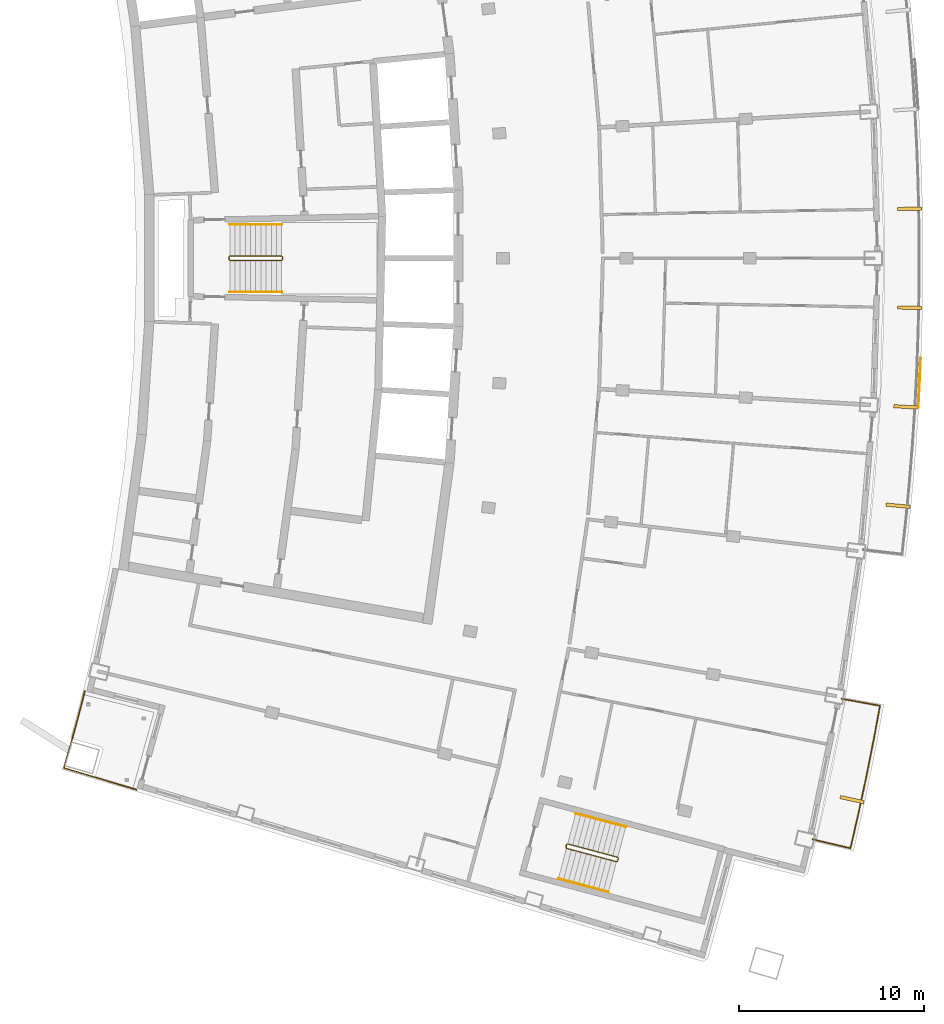
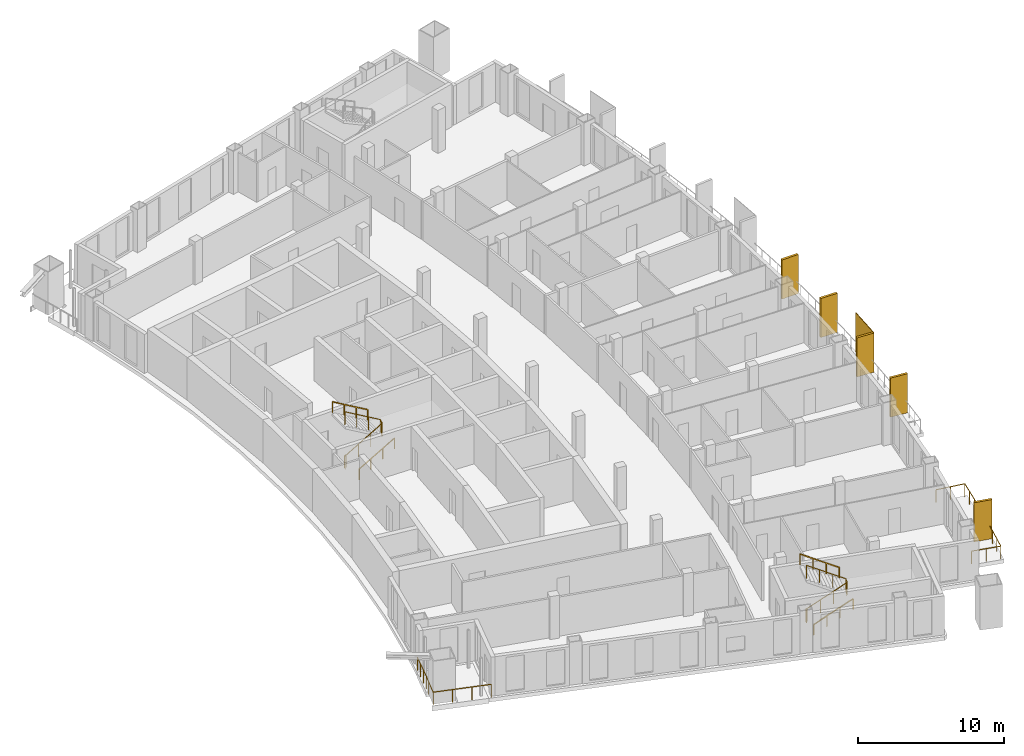
# One storey, part 14 of 16: 8 railings, 6 shading devices.
"""IFC4 building model written with IfcOpenShell, lengths in metres."""

from ifc_helpers import new_model, si_unit, direction, frame, origin, origin_with_axes, origin_2d, place, context, subcontext, project, spatial, rectangle, extrude, material, layer, layer_set, type_object, element, save


model = new_model("IFC4")

# Units and contexts
model_context = context("Model", 3, precision=1e-05, world=origin(), true_north=direction((0.0, 1.0)))
body_context = subcontext(model_context, "Body", "Model", "MODEL_VIEW")
ifc_project = project(units=[si_unit("LENGTHUNIT", "METRE"), si_unit("AREAUNIT", "SQUARE_METRE"), si_unit("VOLUMEUNIT", "CUBIC_METRE"), si_unit("PLANEANGLEUNIT", "RADIAN"), si_unit("MASSUNIT", "GRAM", prefix="KILO")], contexts=[model_context])

# Site, building, storey
site_placement = place(None, origin())
site = spatial("IfcSite", under=ifc_project, at=site_placement, CompositionType="ELEMENT")
building_placement = place(site_placement, origin())
building = spatial("IfcBuilding", under=site, at=building_placement, Name="Alderwake Tower", CompositionType="ELEMENT")
storey_placement = place(building_placement, frame((0.0, 0.0, 281.60009765625)))
storey = spatial("IfcBuildingStorey", under=building, at=storey_placement, Name="L70", CompositionType="ELEMENT", Elevation=281.60009765625)

# Railings
ifc_material_1 = material(Name="Stainless steel 316 rail and posts", Category="steel")
railing_type_1 = type_object("IfcRailingType", Name="Balcony guard 1100", PredefinedType="GUARDRAIL", material=ifc_material_1)
railing_1_placement = place(storey_placement, frame((52.531982421875, 29.603515625, 0.0)))
element("IfcRailing", 1, at=railing_1_placement, inside=storey, type_object=railing_type_1, Name="Guard BF03", PredefinedType="GUARDRAIL", context=body_context, shape_type="SweptSolid", body=[
    extrude(rectangle(XDim=0.048095703125, YDim=0.048095703125, at=origin_2d()), frame((0.0, 0.0, 1.076171875), z_axis=(0.973057638874, -0.230561990427, 0.0), x_axis=(0.230561990427, 0.973057638874, 0.0)), (0.0, 0.0, 1.0), 2.099853515625),
    extrude(rectangle(XDim=0.048095703125, YDim=0.048095703125, at=origin_2d()), frame((2.043212890625, -0.484130859375, 1.076171875), z_axis=(0.223789603838, 0.974637477842, 0.0), x_axis=(-0.974637477842, 0.223789603838, 0.0)), (0.0, 0.0, 1.0), 1.916748046875),
    extrude(rectangle(XDim=0.048095703125, YDim=0.048095703125, at=origin_2d()), frame((2.47216796875, 1.384033203125, 1.076171875), z_axis=(0.20990108156, 0.977722627313, 0.0), x_axis=(-0.977722627313, 0.20990108156, 0.0)), (0.0, 0.0, 1.0), 2.016845703125),
    extrude(rectangle(XDim=0.048095703125, YDim=0.048095703125, at=origin_2d()), frame((2.8955078125, 3.35595703125, 1.076171875), z_axis=(0.195604007271, 0.980682962195, 0.0), x_axis=(-0.980682962195, 0.195604007271, 0.0)), (0.0, 0.0, 1.0), 2.01708984375),
    extrude(rectangle(XDim=0.048095703125, YDim=0.048095703125, at=origin_2d()), frame((3.2900390625, 5.333984375, 1.076171875), z_axis=(0.181619483168, 0.983368884668, 0.0), x_axis=(-0.983368884668, 0.181619483168, 0.0)), (0.0, 0.0, 1.0), 1.9169921875),
    extrude(rectangle(XDim=0.048095703125, YDim=0.048095703125, at=origin_2d()), frame((3.63818359375, 7.218994140625, 1.076171875), z_axis=(-0.984614556243, 0.174740309131, 0.0), x_axis=(-0.174740309131, -0.984614556243, 0.0)), (0.0, 0.0, 1.0), 2.099853515625),
    extrude(rectangle(XDim=0.0419921875, YDim=0.0419921875, at=origin_2d()), frame((0.0, 0.0, 0.0), z_axis=(0.0, 0.0, 1.0), x_axis=(0.973057638874, -0.230561990427, 0.0)), (0.0, 0.0, 1.0), 1.052001953125),
    extrude(rectangle(XDim=0.0419921875, YDim=0.0419921875, at=origin_2d()), frame((1.021484375, -0.2421875, 0.0), z_axis=(0.0, 0.0, 1.0), x_axis=(0.973057638874, -0.230561990427, 0.0)), (0.0, 0.0, 1.0), 1.052001953125),
    extrude(rectangle(XDim=0.0419921875, YDim=0.0419921875, at=origin_2d()), frame((2.043212890625, -0.484130859375, 0.0), z_axis=(0.0, 0.0, 1.0), x_axis=(0.223789603838, 0.974637477842, 0.0)), (0.0, 0.0, 1.0), 1.052001953125),
    extrude(rectangle(XDim=0.0419921875, YDim=0.0419921875, at=origin_2d()), frame((2.2578125, 0.449951171875, 0.0), z_axis=(0.0, 0.0, 1.0), x_axis=(0.223789603838, 0.974637477842, 0.0)), (0.0, 0.0, 1.0), 1.052001953125),
    extrude(rectangle(XDim=0.0419921875, YDim=0.0419921875, at=origin_2d()), frame((2.47216796875, 1.384033203125, 0.0), z_axis=(0.0, 0.0, 1.0), x_axis=(0.20990108156, 0.977722627313, 0.0)), (0.0, 0.0, 1.0), 1.052001953125),
    extrude(rectangle(XDim=0.0419921875, YDim=0.0419921875, at=origin_2d()), frame((2.683837890625, 2.3701171875, 0.0), z_axis=(0.0, 0.0, 1.0), x_axis=(0.20990108156, 0.977722627313, 0.0)), (0.0, 0.0, 1.0), 1.052001953125),
    extrude(rectangle(XDim=0.0419921875, YDim=0.0419921875, at=origin_2d()), frame((2.8955078125, 3.35595703125, 0.0), z_axis=(0.0, 0.0, 1.0), x_axis=(0.195604007271, 0.980682962195, 0.0)), (0.0, 0.0, 1.0), 1.052001953125),
    extrude(rectangle(XDim=0.0419921875, YDim=0.0419921875, at=origin_2d()), frame((3.0927734375, 4.344970703125, 0.0), z_axis=(0.0, 0.0, 1.0), x_axis=(0.195604007271, 0.980682962195, 0.0)), (0.0, 0.0, 1.0), 1.052001953125),
    extrude(rectangle(XDim=0.0419921875, YDim=0.0419921875, at=origin_2d()), frame((3.2900390625, 5.333984375, 0.0), z_axis=(0.0, 0.0, 1.0), x_axis=(0.181619483168, 0.983368884668, 0.0)), (0.0, 0.0, 1.0), 1.052001953125),
    extrude(rectangle(XDim=0.0419921875, YDim=0.0419921875, at=origin_2d()), frame((3.464111328125, 6.2763671875, 0.0), z_axis=(0.0, 0.0, 1.0), x_axis=(0.181619483168, 0.983368884668, 0.0)), (0.0, 0.0, 1.0), 1.052001953125),
    extrude(rectangle(XDim=0.0419921875, YDim=0.0419921875, at=origin_2d()), frame((3.63818359375, 7.218994140625, 0.0), z_axis=(0.0, 0.0, 1.0), x_axis=(-0.984614556243, 0.174740309131, 0.0)), (0.0, 0.0, 1.0), 1.052001953125),
    extrude(rectangle(XDim=0.0419921875, YDim=0.0419921875, at=origin_2d()), frame((2.6044921875, 7.40234375, 0.0), z_axis=(0.0, 0.0, 1.0), x_axis=(-0.984614556243, 0.174740309131, 0.0)), (0.0, 0.0, 1.0), 1.052001953125),
    extrude(rectangle(XDim=0.0419921875, YDim=0.0419921875, at=origin_2d()), frame((1.570556640625, 7.5859375, 0.0), z_axis=(0.0, 0.0, 1.0), x_axis=(-0.984614556243, 0.174740309131, 0.0)), (0.0, 0.0, 1.0), 1.052001953125),
])
railing_2_placement = place(storey_placement, frame((13.210693359375, 37.612548828125, 0.0)))
element("IfcRailing", 2, at=railing_2_placement, inside=storey, type_object=railing_type_1, Name="Guard terrace RS", PredefinedType="GUARDRAIL", context=body_context, shape_type="SweptSolid", body=[
    extrude(rectangle(XDim=0.048095703125, YDim=0.048095703125, at=origin_2d()), frame((0.0, 0.0, 1.076171875), z_axis=(-0.251385381433, -0.967887075026, 0.0), x_axis=(0.967887075026, -0.251385381433, 0.0)), (0.0, 0.0, 1.0), 1.6015625),
    extrude(rectangle(XDim=0.048095703125, YDim=0.048095703125, at=origin_2d()), frame((-0.402587890625, -1.550048828125, 1.076171875), z_axis=(-0.266520638672, -0.963829211615, 0.0), x_axis=(0.963829211615, -0.266520638672, 0.0)), (0.0, 0.0, 1.0), 1.401611328125),
    extrude(rectangle(XDim=0.048095703125, YDim=0.048095703125, at=origin_2d()), frame((-0.776123046875, -2.90087890625, 1.076171875), z_axis=(-0.280093650878, -0.959972680204, 0.0), x_axis=(0.959972680204, -0.280093650878, 0.0)), (0.0, 0.0, 1.0), 1.30126953125),
    extrude(rectangle(XDim=0.048095703125, YDim=0.048095703125, at=origin_2d()), frame((-1.140625, -4.150146484375, 1.076171875), z_axis=(0.958066871889, -0.286544706789, 0.0), x_axis=(0.286544706789, 0.958066871889, 0.0)), (0.0, 0.0, 1.0), 4.099853515625),
    extrude(rectangle(XDim=0.0419921875, YDim=0.0419921875, at=origin_2d()), frame((0.0, 0.0, 0.0), z_axis=(0.0, 0.0, 1.0), x_axis=(-0.251385381433, -0.967887075026, 0.0)), (0.0, 0.0, 1.0), 1.052001953125),
    extrude(rectangle(XDim=0.0419921875, YDim=0.0419921875, at=origin_2d()), frame((-0.201171875, -0.77490234375, 0.0), z_axis=(0.0, 0.0, 1.0), x_axis=(-0.251385381433, -0.967887075026, 0.0)), (0.0, 0.0, 1.0), 1.052001953125),
    extrude(rectangle(XDim=0.0419921875, YDim=0.0419921875, at=origin_2d()), frame((-0.402587890625, -1.550048828125, 0.0), z_axis=(0.0, 0.0, 1.0), x_axis=(-0.266520638672, -0.963829211615, 0.0)), (0.0, 0.0, 1.0), 1.052001953125),
    extrude(rectangle(XDim=0.0419921875, YDim=0.0419921875, at=origin_2d()), frame((-0.58935546875, -2.2255859375, 0.0), z_axis=(0.0, 0.0, 1.0), x_axis=(-0.266520638672, -0.963829211615, 0.0)), (0.0, 0.0, 1.0), 1.052001953125),
    extrude(rectangle(XDim=0.0419921875, YDim=0.0419921875, at=origin_2d()), frame((-0.776123046875, -2.90087890625, 0.0), z_axis=(0.0, 0.0, 1.0), x_axis=(-0.280093650878, -0.959972680204, 0.0)), (0.0, 0.0, 1.0), 1.052001953125),
    extrude(rectangle(XDim=0.0419921875, YDim=0.0419921875, at=origin_2d()), frame((-1.140625, -4.150146484375, 0.0), z_axis=(0.0, 0.0, 1.0), x_axis=(0.958066871889, -0.286544706789, 0.0)), (0.0, 0.0, 1.0), 1.052001953125),
    extrude(rectangle(XDim=0.0419921875, YDim=0.0419921875, at=origin_2d()), frame((0.168701171875, -4.541748046875, 0.0), z_axis=(0.0, 0.0, 1.0), x_axis=(0.958066871889, -0.286544706789, 0.0)), (0.0, 0.0, 1.0), 1.052001953125),
    extrude(rectangle(XDim=0.0419921875, YDim=0.0419921875, at=origin_2d()), frame((1.47802734375, -4.933349609375, 0.0), z_axis=(0.0, 0.0, 1.0), x_axis=(0.958066871889, -0.286544706789, 0.0)), (0.0, 0.0, 1.0), 1.052001953125),
    extrude(rectangle(XDim=0.0419921875, YDim=0.0419921875, at=origin_2d()), frame((2.787353515625, -5.324951171875, 0.0), z_axis=(0.0, 0.0, 1.0), x_axis=(0.958066871889, -0.286544706789, 0.0)), (0.0, 0.0, 1.0), 1.052001953125),
])

# Shading devices
ifc_material_2 = material(Name="Bronze anodised aluminium", Category="aluminium")
ifc_layer_1 = layer(ifc_material_2, 0.179931640625)
ifc_layer_set_1 = layer_set([ifc_layer_1], Name="Facade fin 1300")
shading_device_type_1 = type_object("IfcShadingDeviceType", Name="Facade fin 1300", PredefinedType="USERDEFINED", material=ifc_layer_set_1)
for number, where, z_axis, x_axis, name in (
    (3, (54.65966796875, 31.748779296875, 0.0), (0.0, 0.0, 1.0), (0.977210363881, -0.212273184185, 0.0), "Fin"),
    (4, (57.149658203125, 47.626953125, 0.0), (0.0, 0.0, 1.0), (0.995279882363, -0.097046152751, 0.0), "Fin"),
    (5, (57.56591796875, 52.970703125, 0.0), (0.0, 0.0, 1.0), (0.998301080988, -0.058266214038, 0.0), "Fin"),
    (6, (57.774169921875, 58.326904296875, 0.0), (0.0, 0.0, 1.0), (0.999811838809, -0.019398117887, 0.0), "Fin"),
    (7, (57.774169921875, 63.673095703125, 0.0), (0.0, 0.0, 1.0), (0.999811838809, 0.019398117887, 0.0), "Fin"),
):
    element("IfcShadingDevice", number, at=place(storey_placement, frame(where, z_axis=z_axis, x_axis=x_axis)), inside=storey, type_object=shading_device_type_1, Name=name, ObjectType="FIN", PredefinedType="USERDEFINED", context=body_context, shape_type="SweptSolid", body=[
        extrude(rectangle(XDim=1.300048828125, YDim=0.179931640625, at=origin_2d()), origin(), (0.0, 0.0, 1.0), 3.280029296875),
    ])
ifc_material_3 = material(Name="Perforated bronze anodised aluminium", Category="aluminium")
ifc_layer_2 = layer(ifc_material_3, 0.050048828125)
ifc_layer_set_2 = layer_set([ifc_layer_2], Name="Perforated screen panel")
shading_device_type_2 = type_object("IfcShadingDeviceType", Name="Perforated screen panel", PredefinedType="USERDEFINED", material=ifc_layer_set_2)
shading_device_placement = place(storey_placement, frame((58.304931640625, 54.273193359375, 0.0), z_axis=(0.0, 0.0, 1.0), x_axis=(0.998819231138, -0.048581308217, 0.0)))
element("IfcShadingDevice", 8, at=shading_device_placement, inside=storey, type_object=shading_device_type_2, Name="Screen panel", ObjectType="SCREEN", PredefinedType="USERDEFINED", context=body_context, shape_type="SweptSolid", body=[
    extrude(rectangle(XDim=0.050048828125, YDim=2.686279296875, at=origin_2d()), origin(), (0.0, 0.0, 1.0), 3.280029296875),
])

# Railings
ifc_material_4 = material(Name="Stainless steel guard", Category="steel")
railing_type_2 = type_object("IfcRailingType", Name="Stair guard 1100", PredefinedType="GUARDRAIL", material=ifc_material_4)
railing_3_placement = place(storey_placement, frame((20.989990234375, 60.925048828125, 0.0)))
element("IfcRailing", 9, at=railing_3_placement, inside=storey, type_object=railing_type_2, Name="L70 ST-B stair guard 1", PredefinedType="GUARDRAIL", context=body_context, shape_type="SweptSolid", body=[
    extrude(rectangle(XDim=0.048095703125, YDim=0.048095703125, at=origin_2d()), frame((0.0, 0.0, 1.076171875), z_axis=(0.0, 1.0, 0.0), x_axis=(-1.0, 0.0, 0.0)), (0.0, 0.0, 1.0), 0.14990234375),
    extrude(rectangle(XDim=0.048095703125, YDim=0.048095703125, at=origin_2d()), frame((0.0, 0.14990234375, 1.076171875), z_axis=(0.190199549216, -0.759870394187, 0.621627795), x_axis=(0.970072785993, 0.242814311512, 0.0)), (0.0, 0.0, 1.0), 0.26318359375),
    extrude(rectangle(XDim=0.048095703125, YDim=0.048095703125, at=origin_2d()), frame((0.050048828125, -0.050048828125, 1.23974609375), z_axis=(0.863393664356, 0.0, 0.504530851732), x_axis=(0.0, 1.0, 0.0)), (0.0, 0.0, 1.0), 3.2431640625),
    extrude(rectangle(XDim=0.048095703125, YDim=0.048095703125, at=origin_2d()), frame((2.85009765625, -0.050048828125, 2.8759765625), z_axis=(0.705375805398, 0.708833529934, 0.0), x_axis=(-0.708833529934, 0.705375805398, 0.0)), (0.0, 0.0, 1.0), 0.070556640625),
    extrude(rectangle(XDim=0.048095703125, YDim=0.048095703125, at=origin_2d()), frame((2.89990234375, 0.0, 2.8759765625), z_axis=(0.0, 1.0, 0.0), x_axis=(-1.0, 0.0, 0.0)), (0.0, 0.0, 1.0), 0.14990234375),
    extrude(rectangle(XDim=0.048095703125, YDim=0.048095703125, at=origin_2d()), frame((2.89990234375, 0.14990234375, 2.8759765625), z_axis=(-0.279194930351, 0.280563532951, 0.91833234444), x_axis=(-0.708833529934, -0.705375805398, 0.0)), (0.0, 0.0, 1.0), 0.178466796875),
    extrude(rectangle(XDim=0.048095703125, YDim=0.048095703125, at=origin_2d()), frame((2.85009765625, 0.199951171875, 3.03955078125), z_axis=(-0.863393664356, 0.0, 0.504530851732), x_axis=(0.0, -1.0, 0.0)), (0.0, 0.0, 1.0), 3.2431640625),
    extrude(rectangle(XDim=0.0419921875, YDim=0.0419921875, at=origin_2d()), frame((0.0, 0.0, 0.0), z_axis=(0.0, 0.0, 1.0), x_axis=(0.0, 1.0, 0.0)), (0.0, 0.0, 1.0), 1.052001953125),
    extrude(rectangle(XDim=0.0419921875, YDim=0.0419921875, at=origin_2d()), frame((0.0, 0.14990234375, 0.0), z_axis=(0.0, 0.0, 1.0), x_axis=(0.242814311512, -0.970072785993, 0.0)), (0.0, 0.0, 1.0), 1.052001953125),
    extrude(rectangle(XDim=0.0419921875, YDim=0.0419921875, at=origin_2d()), frame((0.050048828125, -0.050048828125, 0.16357421875), z_axis=(0.0, 0.0, 1.0), x_axis=(1.0, 0.0, 0.0)), (0.0, 0.0, 1.0), 1.052001953125),
    extrude(rectangle(XDim=0.0419921875, YDim=0.0419921875, at=origin_2d()), frame((0.9833984375, -0.050048828125, 0.708984375), z_axis=(0.0, 0.0, 1.0), x_axis=(1.0, 0.0, 0.0)), (0.0, 0.0, 1.0), 1.052001953125),
    extrude(rectangle(XDim=0.0419921875, YDim=0.0419921875, at=origin_2d()), frame((1.916748046875, -0.050048828125, 1.25439453125), z_axis=(0.0, 0.0, 1.0), x_axis=(1.0, 0.0, 0.0)), (0.0, 0.0, 1.0), 1.052001953125),
    extrude(rectangle(XDim=0.0419921875, YDim=0.0419921875, at=origin_2d()), frame((2.85009765625, -0.050048828125, 1.7998046875), z_axis=(0.0, 0.0, 1.0), x_axis=(0.705375805398, 0.708833529934, 0.0)), (0.0, 0.0, 1.0), 1.052001953125),
    extrude(rectangle(XDim=0.0419921875, YDim=0.0419921875, at=origin_2d()), frame((2.89990234375, 0.0, 1.7998046875), z_axis=(0.0, 0.0, 1.0), x_axis=(0.0, 1.0, 0.0)), (0.0, 0.0, 1.0), 1.052001953125),
    extrude(rectangle(XDim=0.0419921875, YDim=0.0419921875, at=origin_2d()), frame((2.89990234375, 0.14990234375, 1.7998046875), z_axis=(0.0, 0.0, 1.0), x_axis=(-0.705375805398, 0.708833529934, 0.0)), (0.0, 0.0, 1.0), 1.052001953125),
    extrude(rectangle(XDim=0.0419921875, YDim=0.0419921875, at=origin_2d()), frame((2.85009765625, 0.199951171875, 1.963623046875), z_axis=(0.0, 0.0, 1.0), x_axis=(-1.0, 0.0, 0.0)), (0.0, 0.0, 1.0), 1.052001953125),
    extrude(rectangle(XDim=0.0419921875, YDim=0.0419921875, at=origin_2d()), frame((1.916748046875, 0.199951171875, 2.509033203125), z_axis=(0.0, 0.0, 1.0), x_axis=(-1.0, 0.0, 0.0)), (0.0, 0.0, 1.0), 1.052001953125),
    extrude(rectangle(XDim=0.0419921875, YDim=0.0419921875, at=origin_2d()), frame((0.9833984375, 0.199951171875, 3.054443359375), z_axis=(0.0, 0.0, 1.0), x_axis=(-1.0, 0.0, 0.0)), (0.0, 0.0, 1.0), 1.052001953125),
    extrude(rectangle(XDim=0.0419921875, YDim=0.0419921875, at=origin_2d()), frame((0.050048828125, 0.199951171875, 3.599853515625), z_axis=(0.0, 0.0, 1.0), x_axis=(-1.0, 0.0, 0.0)), (0.0, 0.0, 1.0), 1.052001953125),
])
railing_4_placement = place(storey_placement, frame((39.1943359375, 29.17431640625, 0.0)))
element("IfcRailing", 10, at=railing_4_placement, inside=storey, type_object=railing_type_2, Name="L70 ST-C stair guard 1", PredefinedType="GUARDRAIL", context=body_context, shape_type="SweptSolid", body=[
    extrude(rectangle(XDim=0.048095703125, YDim=0.048095703125, at=origin_2d()), frame((0.0, 0.0, 1.076171875), z_axis=(0.257459803502, 0.966289009345, 0.0), x_axis=(-0.966289009345, 0.257459803502, 0.0)), (0.0, 0.0, 1.0), 0.14990234375),
    extrude(rectangle(XDim=0.048095703125, YDim=0.048095703125, at=origin_2d()), frame((0.03857421875, 0.144775390625, 1.076171875), z_axis=(-0.012062893862, -0.783160186125, 0.621702991355), x_axis=(0.999881397308, -0.015401016783, 0.0)), (0.0, 0.0, 1.0), 0.26318359375),
    extrude(rectangle(XDim=0.048095703125, YDim=0.048095703125, at=origin_2d()), frame((0.035400390625, -0.061279296875, 1.23974609375), z_axis=(0.834313512087, -0.222222637163, 0.504517653885), x_axis=(0.257380452725, 0.966310148221, 0.0)), (0.0, 0.0, 1.0), 3.2431640625),
    extrude(rectangle(XDim=0.048095703125, YDim=0.048095703125, at=origin_2d()), frame((2.7412109375, -0.781982421875, 2.8759765625), z_axis=(0.865031189262, 0.501718089772, 0.0), x_axis=(-0.501718089772, 0.865031189262, 0.0)), (0.0, 0.0, 1.0), 0.070556640625),
    extrude(rectangle(XDim=0.048095703125, YDim=0.048095703125, at=origin_2d()), frame((2.80224609375, -0.74658203125, 2.8759765625), z_axis=(0.257055032184, 0.966396766566, 0.0), x_axis=(-0.966396766566, 0.257055032184, 0.0)), (0.0, 0.0, 1.0), 0.150146484375),
    extrude(rectangle(XDim=0.048095703125, YDim=0.048095703125, at=origin_2d()), frame((2.8408203125, -0.6015625, 2.8759765625), z_axis=(-0.198375862152, 0.343395457933, 0.918001403477), x_axis=(-0.865898279276, -0.500220121494, 0.0)), (0.0, 0.0, 1.0), 0.178466796875),
    extrude(rectangle(XDim=0.048095703125, YDim=0.048095703125, at=origin_2d()), frame((2.805419921875, -0.540283203125, 3.03955078125), z_axis=(-0.834290631165, 0.222236594766, 0.504549342183), x_axis=(-0.257402139082, -0.966304371715, 0.0)), (0.0, 0.0, 1.0), 3.242919921875),
    extrude(rectangle(XDim=0.0419921875, YDim=0.0419921875, at=origin_2d()), frame((0.0, 0.0, 0.0), z_axis=(0.0, 0.0, 1.0), x_axis=(0.257459803502, 0.966289009345, 0.0)), (0.0, 0.0, 1.0), 1.052001953125),
    extrude(rectangle(XDim=0.0419921875, YDim=0.0419921875, at=origin_2d()), frame((0.03857421875, 0.144775390625, 0.0), z_axis=(0.0, 0.0, 1.0), x_axis=(-0.015401016783, -0.999881397308, 0.0)), (0.0, 0.0, 1.0), 1.052001953125),
    extrude(rectangle(XDim=0.0419921875, YDim=0.0419921875, at=origin_2d()), frame((0.035400390625, -0.061279296875, 0.16357421875), z_axis=(0.0, 0.0, 1.0), x_axis=(0.966310148221, -0.257380452725, 0.0)), (0.0, 0.0, 1.0), 1.052001953125),
    extrude(rectangle(XDim=0.0419921875, YDim=0.0419921875, at=origin_2d()), frame((0.937255859375, -0.301513671875, 0.708984375), z_axis=(0.0, 0.0, 1.0), x_axis=(0.966310148221, -0.257380452725, 0.0)), (0.0, 0.0, 1.0), 1.052001953125),
    extrude(rectangle(XDim=0.0419921875, YDim=0.0419921875, at=origin_2d()), frame((1.83935546875, -0.541748046875, 1.25439453125), z_axis=(0.0, 0.0, 1.0), x_axis=(0.966310148221, -0.257380452725, 0.0)), (0.0, 0.0, 1.0), 1.052001953125),
    extrude(rectangle(XDim=0.0419921875, YDim=0.0419921875, at=origin_2d()), frame((2.7412109375, -0.781982421875, 1.7998046875), z_axis=(0.0, 0.0, 1.0), x_axis=(0.865031189262, 0.501718089772, 0.0)), (0.0, 0.0, 1.0), 1.052001953125),
    extrude(rectangle(XDim=0.0419921875, YDim=0.0419921875, at=origin_2d()), frame((2.80224609375, -0.74658203125, 1.7998046875), z_axis=(0.0, 0.0, 1.0), x_axis=(0.257055032184, 0.966396766566, 0.0)), (0.0, 0.0, 1.0), 1.052001953125),
    extrude(rectangle(XDim=0.0419921875, YDim=0.0419921875, at=origin_2d()), frame((2.8408203125, -0.6015625, 1.7998046875), z_axis=(0.0, 0.0, 1.0), x_axis=(-0.500220121494, 0.865898279276, 0.0)), (0.0, 0.0, 1.0), 1.052001953125),
    extrude(rectangle(XDim=0.0419921875, YDim=0.0419921875, at=origin_2d()), frame((2.805419921875, -0.540283203125, 1.963623046875), z_axis=(0.0, 0.0, 1.0), x_axis=(-0.966304371715, 0.257402139082, 0.0)), (0.0, 0.0, 1.0), 1.052001953125),
    extrude(rectangle(XDim=0.0419921875, YDim=0.0419921875, at=origin_2d()), frame((1.903564453125, -0.300048828125, 2.509033203125), z_axis=(0.0, 0.0, 1.0), x_axis=(-0.966304371715, 0.257402139082, 0.0)), (0.0, 0.0, 1.0), 1.052001953125),
    extrude(rectangle(XDim=0.0419921875, YDim=0.0419921875, at=origin_2d()), frame((1.001708984375, -0.059814453125, 3.054443359375), z_axis=(0.0, 0.0, 1.0), x_axis=(-0.966304371715, 0.257402139082, 0.0)), (0.0, 0.0, 1.0), 1.052001953125),
    extrude(rectangle(XDim=0.0419921875, YDim=0.0419921875, at=origin_2d()), frame((0.099853515625, 0.180419921875, 3.599853515625), z_axis=(0.0, 0.0, 1.0), x_axis=(-0.966304371715, 0.257402139082, 0.0)), (0.0, 0.0, 1.0), 1.052001953125),
])
ifc_material_5 = material(Name="Stainless steel handrail", Category="steel")
railing_type_3 = type_object("IfcRailingType", Name="Stair handrail 900", PredefinedType="HANDRAIL", material=ifc_material_5)
railing_5_placement = place(storey_placement, frame((21.0400390625, 59.175048828125, 0.16357421875)))
element("IfcRailing", 11, at=railing_5_placement, inside=storey, type_object=railing_type_3, Name="L70 ST-B stair handrail 1", PredefinedType="HANDRAIL", context=body_context, shape_type="SweptSolid", body=[
    extrude(rectangle(XDim=0.048095703125, YDim=0.048095703125, at=origin_2d()), frame((0.0, 0.0, 0.8759765625), z_axis=(0.863393664356, 0.0, 0.504530851732), x_axis=(0.0, 1.0, 0.0)), (0.0, 0.0, 1.0), 3.2431640625),
    extrude(rectangle(XDim=0.0419921875, YDim=0.0419921875, at=origin_2d()), origin_with_axes(), (0.0, 0.0, 1.0), 0.851806640625),
    extrude(rectangle(XDim=0.0419921875, YDim=0.0419921875, at=origin_2d()), frame((0.933349609375, 0.0, 0.54541015625), z_axis=(0.0, 0.0, 1.0), x_axis=(1.0, 0.0, 0.0)), (0.0, 0.0, 1.0), 0.851806640625),
    extrude(rectangle(XDim=0.0419921875, YDim=0.0419921875, at=origin_2d()), frame((1.86669921875, 0.0, 1.0908203125), z_axis=(0.0, 0.0, 1.0), x_axis=(1.0, 0.0, 0.0)), (0.0, 0.0, 1.0), 0.851806640625),
    extrude(rectangle(XDim=0.0419921875, YDim=0.0419921875, at=origin_2d()), frame((2.800048828125, 0.0, 1.63623046875), z_axis=(0.0, 0.0, 1.0), x_axis=(1.0, 0.0, 0.0)), (0.0, 0.0, 1.0), 0.851806640625),
])
railing_6_placement = place(storey_placement, frame((23.840087890625, 62.824951171875, 1.963623046875)))
element("IfcRailing", 12, at=railing_6_placement, inside=storey, type_object=railing_type_3, Name="L70 ST-B stair handrail 2", PredefinedType="HANDRAIL", context=body_context, shape_type="SweptSolid", body=[
    extrude(rectangle(XDim=0.048095703125, YDim=0.048095703125, at=origin_2d()), frame((0.0, 0.0, 0.8759765625), z_axis=(-0.863393664356, 0.0, 0.504530851732), x_axis=(0.0, -1.0, 0.0)), (0.0, 0.0, 1.0), 3.2431640625),
    extrude(rectangle(XDim=0.0419921875, YDim=0.0419921875, at=origin_2d()), frame((0.0, 0.0, 0.0), z_axis=(0.0, 0.0, 1.0), x_axis=(-1.0, 0.0, 0.0)), (0.0, 0.0, 1.0), 0.851806640625),
    extrude(rectangle(XDim=0.0419921875, YDim=0.0419921875, at=origin_2d()), frame((-0.933349609375, 0.0, 0.54541015625), z_axis=(0.0, 0.0, 1.0), x_axis=(-1.0, 0.0, 0.0)), (0.0, 0.0, 1.0), 0.851806640625),
    extrude(rectangle(XDim=0.0419921875, YDim=0.0419921875, at=origin_2d()), frame((-1.86669921875, 0.0, 1.0908203125), z_axis=(0.0, 0.0, 1.0), x_axis=(-1.0, 0.0, 0.0)), (0.0, 0.0, 1.0), 0.851806640625),
    extrude(rectangle(XDim=0.0419921875, YDim=0.0419921875, at=origin_2d()), frame((-2.800048828125, 0.0, 1.63623046875), z_axis=(0.0, 0.0, 1.0), x_axis=(-1.0, 0.0, 0.0)), (0.0, 0.0, 1.0), 0.851806640625),
])
railing_7_placement = place(storey_placement, frame((38.792236328125, 27.47021484375, 0.16357421875)))
element("IfcRailing", 13, at=railing_7_placement, inside=storey, type_object=railing_type_3, Name="L70 ST-C stair handrail 1", PredefinedType="HANDRAIL", context=body_context, shape_type="SweptSolid", body=[
    extrude(rectangle(XDim=0.048095703125, YDim=0.048095703125, at=origin_2d()), frame((0.0, 0.0, 0.8759765625), z_axis=(0.834304587439, -0.222165027751, 0.504557782442), x_axis=(0.25732071773, 0.966326056891, 0.0)), (0.0, 0.0, 1.0), 3.242919921875),
    extrude(rectangle(XDim=0.0419921875, YDim=0.0419921875, at=origin_2d()), frame((0.0, 0.0, 0.0), z_axis=(0.0, 0.0, 1.0), x_axis=(0.966326056891, -0.25732071773, 0.0)), (0.0, 0.0, 1.0), 0.851806640625),
    extrude(rectangle(XDim=0.0419921875, YDim=0.0419921875, at=origin_2d()), frame((0.90185546875, -0.240234375, 0.54541015625), z_axis=(0.0, 0.0, 1.0), x_axis=(0.966326056891, -0.25732071773, 0.0)), (0.0, 0.0, 1.0), 0.851806640625),
    extrude(rectangle(XDim=0.0419921875, YDim=0.0419921875, at=origin_2d()), frame((1.8037109375, -0.480224609375, 1.0908203125), z_axis=(0.0, 0.0, 1.0), x_axis=(0.966326056891, -0.25732071773, 0.0)), (0.0, 0.0, 1.0), 0.851806640625),
    extrude(rectangle(XDim=0.0419921875, YDim=0.0419921875, at=origin_2d()), frame((2.70556640625, -0.720458984375, 1.63623046875), z_axis=(0.0, 0.0, 1.0), x_axis=(0.966326056891, -0.25732071773, 0.0)), (0.0, 0.0, 1.0), 0.851806640625),
])
railing_8_placement = place(storey_placement, frame((42.437255859375, 30.276611328125, 1.963623046875)))
element("IfcRailing", 14, at=railing_8_placement, inside=storey, type_object=railing_type_3, Name="L70 ST-C stair handrail 2", PredefinedType="HANDRAIL", context=body_context, shape_type="SweptSolid", body=[
    extrude(rectangle(XDim=0.048095703125, YDim=0.048095703125, at=origin_2d()), frame((0.0, 0.0, 0.8759765625), z_axis=(-0.834290631165, 0.222236594766, 0.504549342183), x_axis=(-0.257402139082, -0.966304371715, 0.0)), (0.0, 0.0, 1.0), 3.242919921875),
    extrude(rectangle(XDim=0.0419921875, YDim=0.0419921875, at=origin_2d()), frame((0.0, 0.0, 0.0), z_axis=(0.0, 0.0, 1.0), x_axis=(-0.966304371715, 0.257402139082, 0.0)), (0.0, 0.0, 1.0), 0.851806640625),
    extrude(rectangle(XDim=0.0419921875, YDim=0.0419921875, at=origin_2d()), frame((-0.90185546875, 0.240234375, 0.54541015625), z_axis=(0.0, 0.0, 1.0), x_axis=(-0.966304371715, 0.257402139082, 0.0)), (0.0, 0.0, 1.0), 0.851806640625),
    extrude(rectangle(XDim=0.0419921875, YDim=0.0419921875, at=origin_2d()), frame((-1.8037109375, 0.48046875, 1.0908203125), z_axis=(0.0, 0.0, 1.0), x_axis=(-0.966304371715, 0.257402139082, 0.0)), (0.0, 0.0, 1.0), 0.851806640625),
    extrude(rectangle(XDim=0.0419921875, YDim=0.0419921875, at=origin_2d()), frame((-2.70556640625, 0.720703125, 1.63623046875), z_axis=(0.0, 0.0, 1.0), x_axis=(-0.966304371715, 0.257402139082, 0.0)), (0.0, 0.0, 1.0), 0.851806640625),
])

save(model, "model.ifc")
